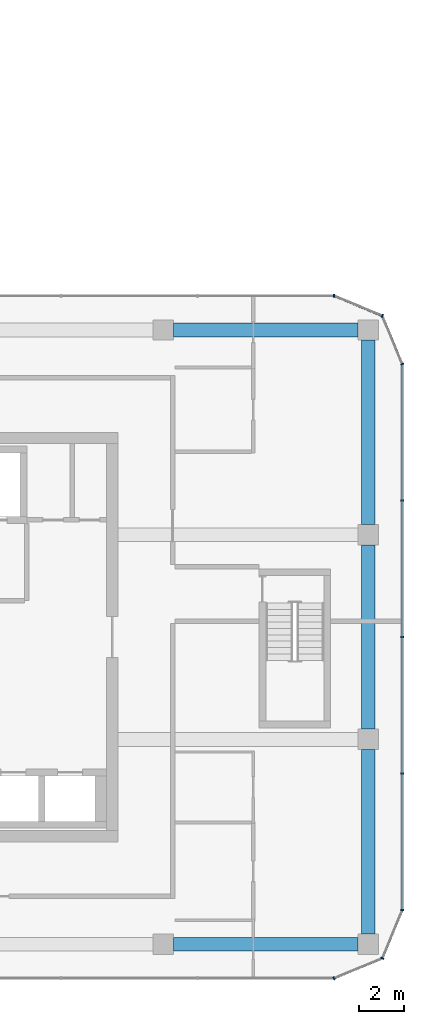
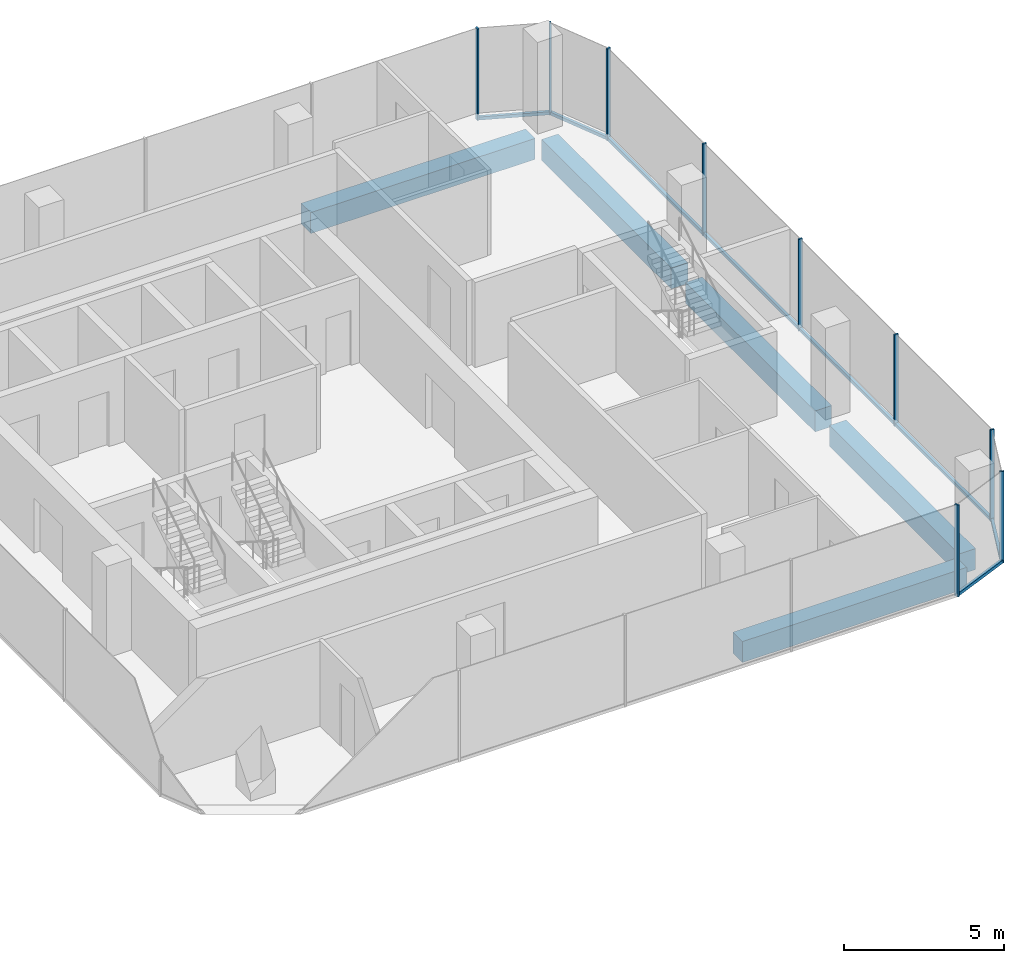
# One storey, part 10 of 22: 14 members, 5 beams, 6 elements without a shape of their own.
"""IFC4 building model written with IfcOpenShell, lengths in metres."""

import ifcopenshell
import ifcopenshell.guid

model = None  # the IFC model being written
_history = None  # IfcOwnerHistory: only IFC2X3 demands one
_inside = {}  # id of a spatial element -> (the spatial element, [elements in it])
_under = {}  # id of a project, library or spatial element -> (it, [spatial elements below it])
_declared = {}  # id of a project -> (the project, [libraries it declares])
_typed = {}  # id of a type object -> (the type object, [elements of that type])
_made_of = {}  # id of a material, layer set ... -> (it, [elements and type objects made of it])


def new_model(schema):
    """Start an empty IFC model of exactly this schema.

    Asked for "IFC4X3", IfcOpenShell would pick the latest addendum, in which some entities
    have other attributes; the version numbers below select the first issue.
    IFC2X3 requires an IfcOwnerHistory on every rooted entity: one is made here for all.
    """
    global model, _history
    if schema == "IFC4X3":
        model = ifcopenshell.file(schema_version=(4, 3, 0, 0))
    else:
        model = ifcopenshell.file(schema=schema)
    _inside.clear()
    _under.clear()
    _declared.clear()
    _typed.clear()
    _made_of.clear()
    _history = None
    if model.schema == "IFC2X3":
        org = make("IfcOrganization", Name="unknown")
        user = make(
            "IfcPersonAndOrganization",
            ThePerson=make("IfcPerson", FamilyName="unknown"),
            TheOrganization=org,
        )
        app = make(
            "IfcApplication",
            ApplicationDeveloper=org,
            Version="unknown",
            ApplicationFullName="unknown",
            ApplicationIdentifier="unknown",
        )
        _history = make(
            "IfcOwnerHistory",
            OwningUser=user,
            OwningApplication=app,
            ChangeAction="ADDED",
            CreationDate=0,
        )
    return model


def make(cls, **values):
    """One entity of the class cls with the attributes given. An attribute that is None is left unset."""
    return model.create_entity(
        cls, **{name: value for name, value in values.items() if value is not None}
    )


def rooted(cls, **values):
    """An entity with a GlobalId (a new one), such as an element, a storey or a relation."""
    return make(cls, GlobalId=ifcopenshell.guid.new(), OwnerHistory=_history, **values)


def si_unit(unit_type, name, prefix=None):
    """IfcSIUnit, for example si_unit("LENGTHUNIT", "METRE", prefix="MILLI")."""
    return make("IfcSIUnit", UnitType=unit_type, Prefix=prefix, Name=name)


def assignment(units):
    """IfcUnitAssignment: the units of a project."""
    return None if units is None else make("IfcUnitAssignment", Units=units)


def point(xyz):
    """IfcCartesianPoint."""
    return None if xyz is None else make("IfcCartesianPoint", Coordinates=xyz)


def direction(xyz):
    """IfcDirection."""
    return None if xyz is None else make("IfcDirection", DirectionRatios=xyz)


def frame(location, z_axis=None, x_axis=None):
    """IfcAxis2Placement3D, a coordinate frame: its origin and axes. An axis left out is left unset."""
    return make(
        "IfcAxis2Placement3D",
        Location=point(location),
        Axis=direction(z_axis),
        RefDirection=direction(x_axis),
    )


def frame_2d(location, x_axis=None):
    """IfcAxis2Placement2D, a coordinate frame in the plane: its origin and x axis."""
    return make(
        "IfcAxis2Placement2D", Location=point(location), RefDirection=direction(x_axis)
    )


def origin():
    """The frame at (0, 0, 0) with its axes left unset."""
    return frame((0.0, 0.0, 0.0))


def origin_2d():
    """The frame at (0, 0) in the plane with its x axis left unset."""
    return frame_2d((0.0, 0.0))


def place(relative_to, where):
    """IfcLocalPlacement: puts the frame where relative to a parent placement (None: the world)."""
    return make(
        "IfcLocalPlacement", PlacementRelTo=relative_to, RelativePlacement=where
    )


def context(
    kind, dimensions, precision=None, world=None, true_north=None, identifier=None
):
    """IfcGeometricRepresentationContext, for example the 3D "Model" context."""
    return make(
        "IfcGeometricRepresentationContext",
        ContextIdentifier=identifier,
        ContextType=kind,
        CoordinateSpaceDimension=dimensions,
        Precision=precision,
        WorldCoordinateSystem=world,
        TrueNorth=true_north,
    )


def subcontext(parent, identifier, kind, view, scale=None):
    """IfcGeometricRepresentationSubContext, for example "Body" below "Model"."""
    return make(
        "IfcGeometricRepresentationSubContext",
        ContextIdentifier=identifier,
        ContextType=kind,
        ParentContext=parent,
        TargetScale=scale,
        TargetView=view,
    )


def project(units=None, contexts=None):
    """IfcProject with its units and contexts."""
    return rooted(
        "IfcProject",
        Name="project",
        RepresentationContexts=contexts,
        UnitsInContext=assignment(units),
    )


def spatial(cls, under=None, at=None, **own):
    """A site, building, storey or space (cls), placed at a placement, below another one or the project."""
    s = rooted(cls, ObjectPlacement=at, **own)
    if under is not None:
        _under.setdefault(under.id(), (under, []))[1].append(s)
    return s


def profile(cls, at=None, kind="AREA", **sizes):
    """A parametric profile (cls). Its sizes go by their IFC names, for example OverallWidth=200.0."""
    return make(cls, ProfileType=kind, Position=at, **sizes)


def rectangle(**sizes):
    """IfcRectangleProfileDef."""
    return profile("IfcRectangleProfileDef", **sizes)


def extrude(swept, where, along, depth):
    """IfcExtrudedAreaSolid: the profile swept, set in the frame where, extruded along a direction by depth."""
    return make(
        "IfcExtrudedAreaSolid",
        SweptArea=swept,
        Position=where,
        ExtrudedDirection=direction(along),
        Depth=depth,
    )


def shape(context_of_items, identifier, shape_type, items):
    """IfcShapeRepresentation: the items that make up one representation, for example the "Body"."""
    return make(
        "IfcShapeRepresentation",
        ContextOfItems=context_of_items,
        RepresentationIdentifier=identifier,
        RepresentationType=shape_type,
        Items=items,
    )


def material(Name=None, Category=None):
    """IfcMaterial."""
    return make("IfcMaterial", Name=Name, Category=Category)


def layer(
    of_material, thickness, ventilated=None, Name=None, Category=None, Priority=None
):
    """IfcMaterialLayer: one layer of a wall or slab, of a material (None: an air gap)."""
    return make(
        "IfcMaterialLayer",
        Material=of_material,
        LayerThickness=thickness,
        IsVentilated=ventilated,
        Name=Name,
        Category=Category,
        Priority=Priority,
    )


def layer_set(layers, Name=None):
    """IfcMaterialLayerSet."""
    return make("IfcMaterialLayerSet", MaterialLayers=layers, LayerSetName=Name)


def material_profile(
    of_material, cross_section, Name=None, Category=None, Priority=None
):
    """IfcMaterialProfile: a cross section and its material."""
    return make(
        "IfcMaterialProfile",
        Name=Name,
        Material=of_material,
        Profile=cross_section,
        Priority=Priority,
        Category=Category,
    )


def profile_set(profiles, Name=None, composite=None):
    """IfcMaterialProfileSet."""
    return make(
        "IfcMaterialProfileSet",
        Name=Name,
        MaterialProfiles=profiles,
        CompositeProfile=composite,
    )


def made_of(thing, what):
    """Note that an element or type object is made of a material, layer set ...; save() writes the relation."""
    if what is not None:
        _made_of.setdefault(what.id(), (what, []))[1].append(thing)
    return thing


def type_object(cls, material=None, **own):
    """A type object (cls), such as IfcWallType, which elements share."""
    return made_of(rooted(cls, **own), material)


def element(
    cls,
    number,
    at=None,
    inside=None,
    cuts=None,
    type_object=None,
    material=None,
    context=None,
    identifier="Body",
    shape_type=None,
    held_by="IfcProductDefinitionShape",
    body=None,
    shapes=None,
    **own,
):
    """One element of the class cls, such as IfcWall. Its Tag is "e" and its number.

    at: its placement. inside: the storey or other place that contains it. cuts: it is an
    opening in that element (IfcRelVoidsElement). A single representation is given by context,
    identifier, shape_type and body (its items); several are given by shapes. held_by: the class
    of the entity that holds the representations. save() writes the other relations.
    """
    e = rooted(cls, Tag="e%d" % number, ObjectPlacement=at, **own)
    if body is not None:
        shapes = [shape(context, identifier, shape_type, body)]
    if shapes is not None:
        e.Representation = make(held_by, Representations=shapes)
    if inside is not None:
        _inside.setdefault(inside.id(), (inside, []))[1].append(e)
    if cuts is not None:
        rooted(
            "IfcRelVoidsElement", RelatingBuildingElement=cuts, RelatedOpeningElement=e
        )
    if type_object is not None:
        _typed.setdefault(type_object.id(), (type_object, []))[1].append(e)
    return made_of(e, material)


def aggregate(whole, parts):
    """IfcRelAggregates: a whole, such as a stair, and the parts it consists of."""
    return rooted("IfcRelAggregates", RelatingObject=whole, RelatedObjects=parts)


def save(model, path):
    """Write the relations noted so far, then the file.

    IfcRelAggregates (storeys below a building ...), IfcRelContainedInSpatialStructure (elements
    in a storey), IfcRelDefinesByType, IfcRelAssociatesMaterial and IfcRelDeclares: one each for
    every whole, place, type object, material and project.
    """
    for whole, parts in _under.values():
        aggregate(whole, parts)
    for where, things in _inside.values():
        rooted(
            "IfcRelContainedInSpatialStructure",
            RelatedElements=things,
            RelatingStructure=where,
        )
    for kind, things in _typed.values():
        rooted("IfcRelDefinesByType", RelatedObjects=things, RelatingType=kind)
    for what, things in _made_of.values():
        rooted("IfcRelAssociatesMaterial", RelatedObjects=things, RelatingMaterial=what)
    for by, libraries in _declared.values():
        rooted("IfcRelDeclares", RelatingContext=by, RelatedDefinitions=libraries)
    model.write(path)


model = new_model("IFC4")

# Units and contexts
model_context = context("Model", 3, precision=1e-05, world=origin(), true_north=direction((0.0, 1.0)))
body_context = subcontext(model_context, "Body", "Model", "MODEL_VIEW")
ifc_project = project(units=[si_unit("LENGTHUNIT", "METRE"), si_unit("AREAUNIT", "SQUARE_METRE"), si_unit("VOLUMEUNIT", "CUBIC_METRE"), si_unit("PLANEANGLEUNIT", "RADIAN"), si_unit("MASSUNIT", "GRAM", prefix="KILO")], contexts=[model_context])

# Site, building, storey
site_placement = place(None, origin())
site = spatial("IfcSite", under=ifc_project, at=site_placement, CompositionType="ELEMENT")
building_placement = place(site_placement, origin())
building = spatial("IfcBuilding", under=site, at=building_placement, Name="Plateau Cross Towers", CompositionType="ELEMENT")
storey_placement = place(building_placement, frame((0.0, 0.0, 61.800048828125)))
storey = spatial("IfcBuildingStorey", under=building, at=storey_placement, Name="L15", CompositionType="ELEMENT", Elevation=61.800048828125)

# Curtain wall, member
ifc_material_1 = material(Name="Dark low-iron glass", Category="glass")
ifc_layer = layer(ifc_material_1, 0.239990234375)
ifc_layer_set = layer_set([ifc_layer], Name="Dark low-iron glass")
curtain_wall_type = type_object("IfcCurtainWallType", Name="Curtain wall office unitised CW-F", PredefinedType="NOTDEFINED", material=ifc_layer_set)
curtain_wall_1_placement = place(storey_placement, origin())
curtain_wall_1 = element("IfcCurtainWall", 1, at=curtain_wall_1_placement, inside=storey, type_object=curtain_wall_type, Name="ENV/B/L15/B990_-60", PredefinedType="NOTDEFINED")
ifc_material_2 = material(Name="Black anodised aluminium", Category="aluminium")
ifc_material_profile_1 = material_profile(ifc_material_2, rectangle(XDim=0.06005859375, YDim=0.139892578125, at=origin_2d()), Name="MULLION 60x140")
ifc_profile_set_1 = profile_set([ifc_material_profile_1], Name="Black anodised aluminium")
member_type_1 = type_object("IfcMemberType", Name="Mullion 60x140 office unitised", PredefinedType="MULLION", material=ifc_profile_set_1)
member_1_placement = place(storey_placement, frame((99.0, -6.0, -0.25), z_axis=(0.0, 0.0, 1.0), x_axis=(0.923879457699, 0.382683612978, 0.0)))
member_1 = element("IfcMember", 2, at=member_1_placement, type_object=member_type_1, Name="CW-F mullion 1", PredefinedType="MULLION", context=body_context, shape_type="SweptSolid", body=[
    extrude(rectangle(XDim=0.06005859375, YDim=0.139892578125, at=origin_2d()), origin(), (0.0, 0.0, 1.0), 3.5),
])

curtain_wall_2_placement = place(storey_placement, origin())
curtain_wall_2 = element("IfcCurtainWall", 3, at=curtain_wall_2_placement, inside=storey, type_object=curtain_wall_type, Name="ENV/B/L15/B1011_-51", PredefinedType="NOTDEFINED")
member_2_placement = place(storey_placement, frame((101.121337890625, -5.121337890625, -0.25), z_axis=(0.0, 0.0, 1.0), x_axis=(0.382683612978, 0.923879457699, 0.0)))
member_2 = element("IfcMember", 4, at=member_2_placement, type_object=member_type_1, Name="CW-F mullion 1", PredefinedType="MULLION", context=body_context, shape_type="SweptSolid", body=[
    extrude(rectangle(XDim=0.06005859375, YDim=0.139892578125, at=origin_2d()), origin(), (0.0, 0.0, 1.0), 3.5),
])

# Curtain wall, members
curtain_wall_3_placement = place(storey_placement, origin())
curtain_wall_3 = element("IfcCurtainWall", 5, at=curtain_wall_3_placement, inside=storey, type_object=curtain_wall_type, Name="ENV/B/L15/B1020_-30", PredefinedType="NOTDEFINED")
member_3_placement = place(storey_placement, frame((102.0, -3.0, -0.25), z_axis=(0.0, 0.0, 1.0), x_axis=(0.0, 1.0, 0.0)))
member_3 = element("IfcMember", 6, at=member_3_placement, type_object=member_type_1, Name="CW-F mullion 1", PredefinedType="MULLION", context=body_context, shape_type="SweptSolid", body=[
    extrude(rectangle(XDim=0.06005859375, YDim=0.139892578125, at=origin_2d()), origin(), (0.0, 0.0, 1.0), 3.5),
])
member_4_placement = place(storey_placement, frame((102.0, 3.0, -0.25), z_axis=(0.0, 0.0, 1.0), x_axis=(0.0, 1.0, 0.0)))
member_4 = element("IfcMember", 7, at=member_4_placement, type_object=member_type_1, Name="CW-F mullion 2", PredefinedType="MULLION", context=body_context, shape_type="SweptSolid", body=[
    extrude(rectangle(XDim=0.06005859375, YDim=0.139892578125, at=origin_2d()), origin(), (0.0, 0.0, 1.0), 3.5),
])
member_5_placement = place(storey_placement, frame((102.0, 9.0, -0.25), z_axis=(0.0, 0.0, 1.0), x_axis=(0.0, 1.0, 0.0)))
member_5 = element("IfcMember", 8, at=member_5_placement, type_object=member_type_1, Name="CW-F mullion 3", PredefinedType="MULLION", context=body_context, shape_type="SweptSolid", body=[
    extrude(rectangle(XDim=0.06005859375, YDim=0.139892578125, at=origin_2d()), origin(), (0.0, 0.0, 1.0), 3.5),
])
member_6_placement = place(storey_placement, frame((102.0, 15.0, -0.25), z_axis=(0.0, 0.0, 1.0), x_axis=(0.0, 1.0, 0.0)))
member_6 = element("IfcMember", 9, at=member_6_placement, type_object=member_type_1, Name="CW-F mullion 4", PredefinedType="MULLION", context=body_context, shape_type="SweptSolid", body=[
    extrude(rectangle(XDim=0.06005859375, YDim=0.139892578125, at=origin_2d()), origin(), (0.0, 0.0, 1.0), 3.5),
])

# Curtain wall, member
curtain_wall_4_placement = place(storey_placement, origin())
curtain_wall_4 = element("IfcCurtainWall", 10, at=curtain_wall_4_placement, inside=storey, type_object=curtain_wall_type, Name="ENV/B/L15/B1020_210", PredefinedType="NOTDEFINED")
member_7_placement = place(storey_placement, frame((102.0, 21.0, -0.25), z_axis=(0.0, 0.0, 1.0), x_axis=(-0.382683612978, 0.923879457699, 0.0)))
member_7 = element("IfcMember", 11, at=member_7_placement, type_object=member_type_1, Name="CW-F mullion 1", PredefinedType="MULLION", context=body_context, shape_type="SweptSolid", body=[
    extrude(rectangle(XDim=0.06005859375, YDim=0.139892578125, at=origin_2d()), origin(), (0.0, 0.0, 1.0), 3.5),
])

curtain_wall_5_placement = place(storey_placement, origin())
curtain_wall_5 = element("IfcCurtainWall", 12, at=curtain_wall_5_placement, inside=storey, type_object=curtain_wall_type, Name="ENV/B/L15/B1011_231", PredefinedType="NOTDEFINED")
member_8_placement = place(storey_placement, frame((101.121337890625, 23.121337890625, -0.25), z_axis=(0.0, 0.0, 1.0), x_axis=(-0.923879457699, 0.382683612978, 0.0)))
member_8 = element("IfcMember", 13, at=member_8_placement, type_object=member_type_1, Name="CW-F mullion 1", PredefinedType="MULLION", context=body_context, shape_type="SweptSolid", body=[
    extrude(rectangle(XDim=0.06005859375, YDim=0.139892578125, at=origin_2d()), origin(), (0.0, 0.0, 1.0), 3.5),
])

curtain_wall_6_placement = place(storey_placement, origin())
curtain_wall_6 = element("IfcCurtainWall", 14, at=curtain_wall_6_placement, inside=storey, type_object=curtain_wall_type, Name="ENV/B/L15/B990_240", PredefinedType="NOTDEFINED")
member_9_placement = place(storey_placement, frame((99.0, 24.0, -0.25), z_axis=(0.0, 0.0, 1.0), x_axis=(-1.0, 0.0, 0.0)))
member_9 = element("IfcMember", 15, at=member_9_placement, type_object=member_type_1, Name="CW-F mullion 1", PredefinedType="MULLION", context=body_context, shape_type="SweptSolid", body=[
    extrude(rectangle(XDim=0.06005859375, YDim=0.139892578125, at=origin_2d()), origin(), (0.0, 0.0, 1.0), 3.5),
])
aggregate(curtain_wall_6, [member_9])

# Beams
ifc_material_3 = material(Name="Concrete C60/75", Category="concrete")
ifc_material_profile_2 = material_profile(ifc_material_3, rectangle(XDim=0.60009765625, YDim=0.800048828125, at=origin_2d()), Name="RC 600x800")
ifc_profile_set_2 = profile_set([ifc_material_profile_2], Name="Concrete C60/75")
beam_type = type_object("IfcBeamType", Name="Ring beam RC 600x800", PredefinedType="BEAM", material=ifc_profile_set_2)
for number, where, z_axis, x_axis, name in (
    (16, (91.949951171875, -4.5, -0.650146484375), (1.0, 0.0, 0.0), (0.0, 1.0, 0.0), "B-RB02@L15"),
    (17, (100.5, -4.050048828125, -0.650146484375), (0.0, 1.0, 0.0), (-1.0, 0.0, 0.0), "B-RB03@L15"),
    (18, (100.5, 4.949951171875, -0.650146484375), (0.0, 1.0, 0.0), (-1.0, 0.0, 0.0), "B-RB04@L15"),
    (19, (100.5, 13.949951171875, -0.650146484375), (0.0, 1.0, 0.0), (-1.0, 0.0, 0.0), "B-RB05@L15"),
    (20, (100.050048828125, 22.5, -0.650146484375), (-1.0, 0.0, 0.0), (0.0, -1.0, 0.0), "B-RB06@L15"),
):
    element("IfcBeam", number, at=place(storey_placement, frame(where, z_axis=z_axis, x_axis=x_axis)), inside=storey, type_object=beam_type, Name=name, PredefinedType="BEAM", context=body_context, shape_type="SweptSolid", body=[
        extrude(rectangle(XDim=0.60009765625, YDim=0.800048828125, at=origin_2d()), origin(), (0.0, 0.0, 1.0), 8.10009765625),
    ])

# Member
ifc_material_profile_3 = material_profile(ifc_material_2, rectangle(XDim=0.10009765625, YDim=0.1201171875, at=origin_2d()), Name="TRANSOM 100x120")
ifc_profile_set_3 = profile_set([ifc_material_profile_3], Name="Black anodised aluminium")
member_type_2 = type_object("IfcMemberType", Name="Transom 100x120 office unitised", PredefinedType="USERDEFINED", material=ifc_profile_set_3)
member_10_placement = place(storey_placement, frame((99.0, -6.0, -0.18994140625), z_axis=(0.923883353507, 0.382674207535, 0.0), x_axis=(-0.382674207535, 0.923883353507, 0.0)))
member_10 = element("IfcMember", 21, at=member_10_placement, type_object=member_type_2, Name="CW-F transom", ObjectType="TRANSOM", PredefinedType="USERDEFINED", context=body_context, shape_type="SweptSolid", body=[
    extrude(rectangle(XDim=0.10009765625, YDim=0.1201171875, at=origin_2d()), origin(), (0.0, 0.0, 1.0), 2.296142578125),
])

aggregate(curtain_wall_1, [member_1, member_10])

member_11_placement = place(storey_placement, frame((101.121337890625, -5.121337890625, -0.18994140625), z_axis=(0.382674207535, 0.923883353507, 0.0), x_axis=(-0.923883353507, 0.382674207535, 0.0)))
member_11 = element("IfcMember", 22, at=member_11_placement, type_object=member_type_2, Name="CW-F transom", ObjectType="TRANSOM", PredefinedType="USERDEFINED", context=body_context, shape_type="SweptSolid", body=[
    extrude(rectangle(XDim=0.10009765625, YDim=0.1201171875, at=origin_2d()), origin(), (0.0, 0.0, 1.0), 2.296142578125),
])

aggregate(curtain_wall_2, [member_2, member_11])

member_12_placement = place(storey_placement, frame((102.0, -3.0, -0.18994140625), z_axis=(0.0, 1.0, 0.0), x_axis=(-1.0, 0.0, 0.0)))
member_12 = element("IfcMember", 23, at=member_12_placement, type_object=member_type_2, Name="CW-F transom", ObjectType="TRANSOM", PredefinedType="USERDEFINED", context=body_context, shape_type="SweptSolid", body=[
    extrude(rectangle(XDim=0.10009765625, YDim=0.1201171875, at=origin_2d()), origin(), (0.0, 0.0, 1.0), 24.0),
])

aggregate(curtain_wall_3, [member_3, member_4, member_5, member_6, member_12])

member_13_placement = place(storey_placement, frame((102.0, 21.0, -0.18994140625), z_axis=(-0.382674207535, 0.923883353507, 0.0), x_axis=(-0.923883353507, -0.382674207535, 0.0)))
member_13 = element("IfcMember", 24, at=member_13_placement, type_object=member_type_2, Name="CW-F transom", ObjectType="TRANSOM", PredefinedType="USERDEFINED", context=body_context, shape_type="SweptSolid", body=[
    extrude(rectangle(XDim=0.10009765625, YDim=0.1201171875, at=origin_2d()), origin(), (0.0, 0.0, 1.0), 2.296142578125),
])

aggregate(curtain_wall_4, [member_7, member_13])

member_14_placement = place(storey_placement, frame((101.121337890625, 23.121337890625, -0.18994140625), z_axis=(-0.923883353507, 0.382674207535, 0.0), x_axis=(-0.382674207535, -0.923883353507, 0.0)))
member_14 = element("IfcMember", 25, at=member_14_placement, type_object=member_type_2, Name="CW-F transom", ObjectType="TRANSOM", PredefinedType="USERDEFINED", context=body_context, shape_type="SweptSolid", body=[
    extrude(rectangle(XDim=0.10009765625, YDim=0.1201171875, at=origin_2d()), origin(), (0.0, 0.0, 1.0), 2.296142578125),
])

aggregate(curtain_wall_5, [member_8, member_14])

save(model, "model.ifc")
